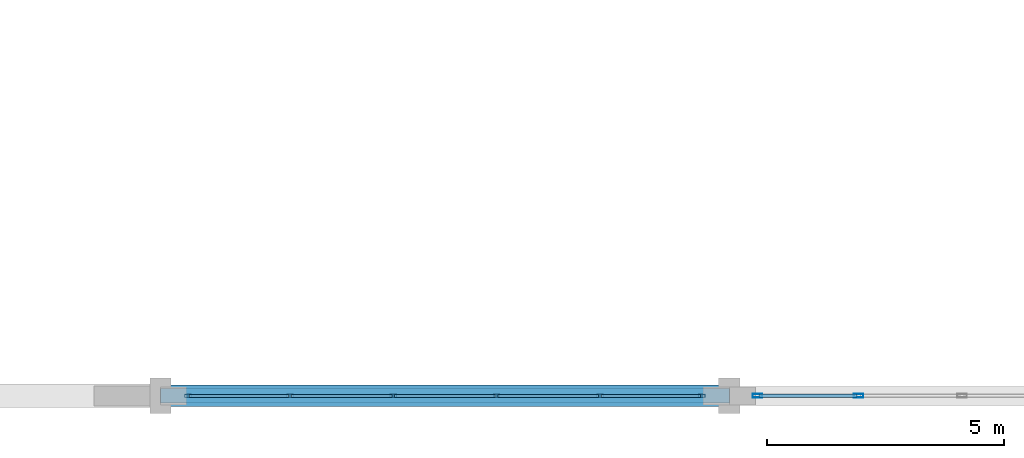
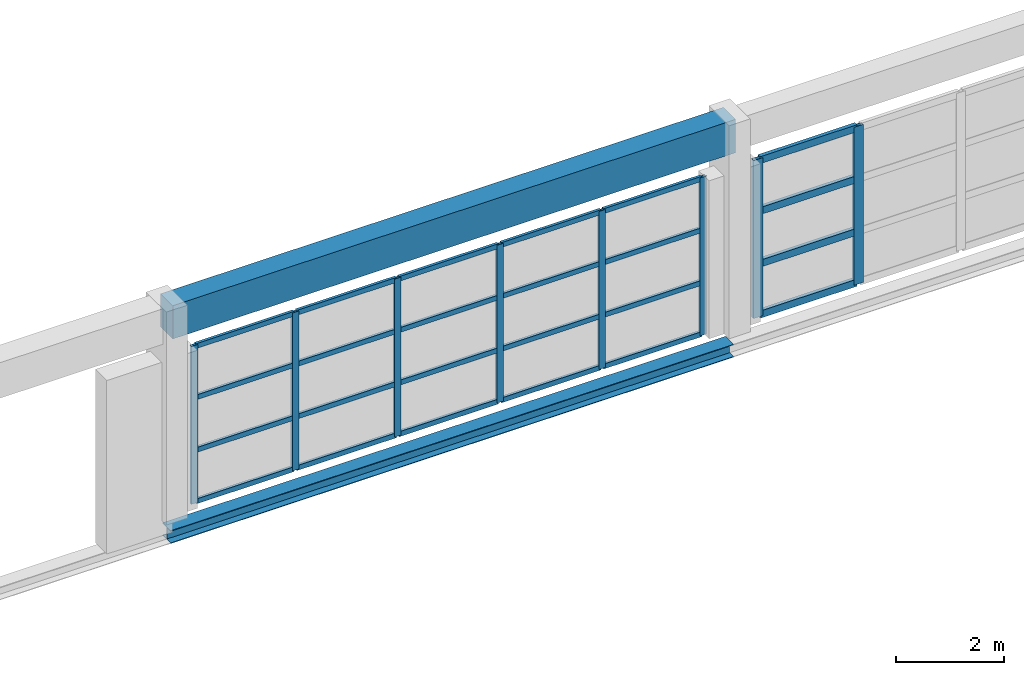
# One storey, part 48 of 147: 32 members, 2 beams, 2 elements without a shape of their own.
"""IFC4 building model written with IfcOpenShell, lengths in metres."""

from ifc_helpers import new_model, si_unit, direction, frame, origin, origin_2d, place, context, subcontext, project, spatial, rectangle, hollow_rectangle, i_section, extrude, material, layer, layer_set, material_profile, profile_set, type_object, element, aggregate, save


model = new_model("IFC4")

# Units and contexts
model_context = context("Model", 3, precision=1e-05, world=origin(), true_north=direction((0.0, 1.0)))
body_context = subcontext(model_context, "Body", "Model", "MODEL_VIEW")
ifc_project = project(units=[si_unit("LENGTHUNIT", "METRE"), si_unit("AREAUNIT", "SQUARE_METRE"), si_unit("VOLUMEUNIT", "CUBIC_METRE"), si_unit("PLANEANGLEUNIT", "RADIAN"), si_unit("MASSUNIT", "GRAM", prefix="KILO")], contexts=[model_context])

# Site, building, storey
site_placement = place(None, origin())
site = spatial("IfcSite", under=ifc_project, at=site_placement, CompositionType="ELEMENT")
building_placement = place(site_placement, origin())
building = spatial("IfcBuilding", under=site, at=building_placement, Name="Zilviju Railside Exhibition Hall", CompositionType="ELEMENT")
storey_placement = place(building_placement, frame((0.0, 0.0, 8.39990234375)))
storey = spatial("IfcBuildingStorey", under=building, at=storey_placement, Name="L03", CompositionType="ELEMENT", Elevation=8.39990234375)

# Beams
ifc_material_1 = material(Name="Steel S355J2", Category="steel")
ifc_material_profile_1 = material_profile(ifc_material_1, i_section(OverallWidth=0.300048828125, OverallDepth=0.2900390625, WebThickness=0.008544921875, FlangeThickness=0.013916015625, at=origin_2d()), Name="HEA 300")
ifc_profile_set_1 = profile_set([ifc_material_profile_1], Name="Steel S355J2")
beam_type_1 = type_object("IfcBeamType", Name="BM-HEA300", PredefinedType="SPANDREL", material=ifc_profile_set_1)
beam_1_placement = place(storey_placement, frame((96.0, 0.0, -0.48486328125), z_axis=(1.0, 0.0, 0.0), x_axis=(0.0, 1.0, 0.0)))
element("IfcBeam", 1, at=beam_1_placement, inside=storey, type_object=beam_type_1, Name="Primary Girder L03 Y=0.0 (96.0..108.0)", PredefinedType="SPANDREL", context=body_context, shape_type="SweptSolid", body=[
    extrude(i_section(OverallWidth=0.300048828125, OverallDepth=0.2900390625, WebThickness=0.008544921875, FlangeThickness=0.013916015625, at=origin_2d()), origin(), (0.0, 0.0, 1.0), 12.0),
])
ifc_material_2 = material(Name="Concrete C35/45", Category="concrete")
ifc_material_profile_2 = material_profile(ifc_material_2, rectangle(XDim=0.449951171875, YDim=0.75, at=origin_2d()), Name="RC BEAM 450x750")
ifc_profile_set_2 = profile_set([ifc_material_profile_2], Name="Concrete C35/45")
beam_type_2 = type_object("IfcBeamType", Name="BM-RC-450x750", PredefinedType="BEAM", material=ifc_profile_set_2)
beam_2_placement = place(storey_placement, frame((96.0, 0.0, 4.400146484375), z_axis=(1.0, 0.0, 0.0), x_axis=(0.0, 1.0, 0.0)))
element("IfcBeam", 2, at=beam_2_placement, inside=storey, type_object=beam_type_2, Name="Eave & Portal Spandrel Lintel 004", PredefinedType="BEAM", context=body_context, shape_type="SweptSolid", body=[
    extrude(rectangle(XDim=0.449951171875, YDim=0.75, at=origin_2d()), origin(), (0.0, 0.0, 1.0), 12.0),
])

# Curtain wall, members
ifc_material_3 = material(Name="Thermally broken aluminium-steel triple-glazed curtain wall", Category="steel")
ifc_layer_1 = layer(ifc_material_3, 0.179931640625)
ifc_layer_set_1 = layer_set([ifc_layer_1], Name="Thermally broken aluminium-steel triple-glazed curtain wall")
curtain_wall_type_1 = type_object("IfcCurtainWallType", Name="CW-BAY-13", PredefinedType="USERDEFINED", material=ifc_layer_set_1)
curtain_wall_1_placement = place(storey_placement, origin())
curtain_wall_1 = element("IfcCurtainWall", 3, at=curtain_wall_1_placement, inside=storey, type_object=curtain_wall_type_1, Name="South Hall Facade Curtain Wall L03 (96..108)", ObjectType="GLAZED CURTAIN WALL", PredefinedType="USERDEFINED")
ifc_material_4 = material(Name="Thermally broken anodized aluminium mullion", Category="aluminium")
ifc_material_profile_3 = material_profile(ifc_material_4, hollow_rectangle(XDim=0.06005859375, YDim=0.139892578125, WallThickness=0.0048828125, at=origin_2d()), Name="MULLION 140x60x5")
ifc_profile_set_3 = profile_set([ifc_material_profile_3], Name="Thermally broken anodized aluminium mullion")
member_type_1 = type_object("IfcMemberType", Name="CWM-60x140", PredefinedType="MULLION", material=ifc_profile_set_3)
member_1_placement = place(storey_placement, frame((107.419921875, 0.0, 0.0), z_axis=(0.0, 0.0, 1.0), x_axis=(0.0, -1.0, 0.0)))
member_1 = element("IfcMember", 4, at=member_1_placement, type_object=member_type_1, Name="CW-13 mullion 1", PredefinedType="MULLION", context=body_context, shape_type="SweptSolid", body=[
    extrude(hollow_rectangle(XDim=0.06005859375, YDim=0.139892578125, WallThickness=0.0048828125, at=origin_2d()), origin(), (0.0, 0.0, 1.0), 3.56005859375),
])
member_2_placement = place(storey_placement, frame((105.27001953125, 0.0, 0.0), z_axis=(0.0, 0.0, 1.0), x_axis=(0.0, -1.0, 0.0)))
member_2 = element("IfcMember", 5, at=member_2_placement, type_object=member_type_1, Name="CW-13 mullion 2", PredefinedType="MULLION", context=body_context, shape_type="SweptSolid", body=[
    extrude(hollow_rectangle(XDim=0.06005859375, YDim=0.139892578125, WallThickness=0.0048828125, at=origin_2d()), origin(), (0.0, 0.0, 1.0), 3.56005859375),
])
member_3_placement = place(storey_placement, frame((103.090087890625, 0.0, 0.0), z_axis=(0.0, 0.0, 1.0), x_axis=(0.0, -1.0, 0.0)))
member_3 = element("IfcMember", 6, at=member_3_placement, type_object=member_type_1, Name="CW-13 mullion 3", PredefinedType="MULLION", context=body_context, shape_type="SweptSolid", body=[
    extrude(hollow_rectangle(XDim=0.06005859375, YDim=0.139892578125, WallThickness=0.0048828125, at=origin_2d()), origin(), (0.0, 0.0, 1.0), 3.56005859375),
])
member_4_placement = place(storey_placement, frame((100.909912109375, 0.0, 0.0), z_axis=(0.0, 0.0, 1.0), x_axis=(0.0, -1.0, 0.0)))
member_4 = element("IfcMember", 7, at=member_4_placement, type_object=member_type_1, Name="CW-13 mullion 4", PredefinedType="MULLION", context=body_context, shape_type="SweptSolid", body=[
    extrude(hollow_rectangle(XDim=0.06005859375, YDim=0.139892578125, WallThickness=0.0048828125, at=origin_2d()), origin(), (0.0, 0.0, 1.0), 3.56005859375),
])
member_5_placement = place(storey_placement, frame((98.72998046875, 0.0, 0.0), z_axis=(0.0, 0.0, 1.0), x_axis=(0.0, -1.0, 0.0)))
member_5 = element("IfcMember", 8, at=member_5_placement, type_object=member_type_1, Name="CW-13 mullion 5", PredefinedType="MULLION", context=body_context, shape_type="SweptSolid", body=[
    extrude(hollow_rectangle(XDim=0.06005859375, YDim=0.139892578125, WallThickness=0.0048828125, at=origin_2d()), origin(), (0.0, 0.0, 1.0), 3.56005859375),
])
member_6_placement = place(storey_placement, frame((96.580078125, 0.0, 0.0), z_axis=(0.0, 0.0, 1.0), x_axis=(0.0, -1.0, 0.0)))
member_6 = element("IfcMember", 9, at=member_6_placement, type_object=member_type_1, Name="CW-13 mullion 6", PredefinedType="MULLION", context=body_context, shape_type="SweptSolid", body=[
    extrude(hollow_rectangle(XDim=0.06005859375, YDim=0.139892578125, WallThickness=0.0048828125, at=origin_2d()), origin(), (0.0, 0.0, 1.0), 3.56005859375),
])

ifc_layer_2 = layer(ifc_material_3, 0.179931640625)
ifc_layer_set_2 = layer_set([ifc_layer_2], Name="Thermally broken aluminium-steel triple-glazed curtain wall")
curtain_wall_type_2 = type_object("IfcCurtainWallType", Name="CW-BAY-14", PredefinedType="USERDEFINED", material=ifc_layer_set_2)
curtain_wall_2_placement = place(storey_placement, origin())
curtain_wall_2 = element("IfcCurtainWall", 10, at=curtain_wall_2_placement, inside=storey, type_object=curtain_wall_type_2, Name="South Hall Facade Curtain Wall L03 (108..120)", ObjectType="GLAZED CURTAIN WALL", PredefinedType="USERDEFINED")
ifc_material_profile_4 = material_profile(ifc_material_4, hollow_rectangle(XDim=0.080078125, YDim=0.199951171875, WallThickness=0.0048828125, at=origin_2d()), Name="MULLION 200x80x5")
ifc_profile_set_4 = profile_set([ifc_material_profile_4], Name="Thermally broken anodized aluminium mullion")
member_type_2 = type_object("IfcMemberType", Name="CWM-80x200", PredefinedType="MULLION", material=ifc_profile_set_4)
member_7_placement = place(storey_placement, frame((110.72998046875, 0.0, 0.0), z_axis=(0.0, 0.0, 1.0), x_axis=(0.0, -1.0, 0.0)))
member_7 = element("IfcMember", 11, at=member_7_placement, type_object=member_type_2, Name="CW-14 mullion 5", PredefinedType="MULLION", context=body_context, shape_type="SweptSolid", body=[
    extrude(hollow_rectangle(XDim=0.080078125, YDim=0.199951171875, WallThickness=0.0048828125, at=origin_2d()), origin(), (0.0, 0.0, 1.0), 3.56005859375),
])
member_8_placement = place(storey_placement, frame((108.590087890625, 0.0, 0.0), z_axis=(0.0, 0.0, 1.0), x_axis=(0.0, -1.0, 0.0)))
member_8 = element("IfcMember", 12, at=member_8_placement, type_object=member_type_2, Name="CW-14 mullion 6", PredefinedType="MULLION", context=body_context, shape_type="SweptSolid", body=[
    extrude(hollow_rectangle(XDim=0.080078125, YDim=0.199951171875, WallThickness=0.0048828125, at=origin_2d()), origin(), (0.0, 0.0, 1.0), 3.56005859375),
])

# Member
ifc_material_5 = material(Name="Thermally broken anodized aluminium transom", Category="aluminium")
ifc_material_profile_5 = material_profile(ifc_material_5, hollow_rectangle(XDim=0.06005859375, YDim=0.110107421875, WallThickness=0.0048828125, at=origin_2d()), Name="TRANSOM 110x60x5")
ifc_profile_set_5 = profile_set([ifc_material_profile_5], Name="Thermally broken anodized aluminium transom")
member_type_3 = type_object("IfcMemberType", Name="CWT-60x110", PredefinedType="USERDEFINED", material=ifc_profile_set_5)
member_9_placement = place(storey_placement, frame((107.389892578125, 0.0, 0.030029296875), z_axis=(-1.0, 0.0, 0.0), x_axis=(0.0, -1.0, 0.0)))
member_9 = element("IfcMember", 13, at=member_9_placement, type_object=member_type_3, Name="CW-13 transom 1.1", ObjectType="TRANSOM", PredefinedType="USERDEFINED", context=body_context, shape_type="SweptSolid", body=[
    extrude(hollow_rectangle(XDim=0.06005859375, YDim=0.110107421875, WallThickness=0.0048828125, at=origin_2d()), origin(), (0.0, 0.0, 1.0), 2.08984375),
])

member_10_placement = place(storey_placement, frame((107.389892578125, 0.0, 1.18701171875), z_axis=(-1.0, 0.0, 0.0), x_axis=(0.0, -1.0, 0.0)))
member_10 = element("IfcMember", 14, at=member_10_placement, type_object=member_type_3, Name="CW-13 transom 1.2", ObjectType="TRANSOM", PredefinedType="USERDEFINED", context=body_context, shape_type="SweptSolid", body=[
    extrude(hollow_rectangle(XDim=0.06005859375, YDim=0.110107421875, WallThickness=0.0048828125, at=origin_2d()), origin(), (0.0, 0.0, 1.0), 2.08984375),
])

member_11_placement = place(storey_placement, frame((107.389892578125, 0.0, 2.373046875), z_axis=(-1.0, 0.0, 0.0), x_axis=(0.0, -1.0, 0.0)))
member_11 = element("IfcMember", 15, at=member_11_placement, type_object=member_type_3, Name="CW-13 transom 1.3", ObjectType="TRANSOM", PredefinedType="USERDEFINED", context=body_context, shape_type="SweptSolid", body=[
    extrude(hollow_rectangle(XDim=0.06005859375, YDim=0.110107421875, WallThickness=0.0048828125, at=origin_2d()), origin(), (0.0, 0.0, 1.0), 2.08984375),
])

member_12_placement = place(storey_placement, frame((107.389892578125, 0.0, 3.530029296875), z_axis=(-1.0, 0.0, 0.0), x_axis=(0.0, -1.0, 0.0)))
member_12 = element("IfcMember", 16, at=member_12_placement, type_object=member_type_3, Name="CW-13 transom 1.4", ObjectType="TRANSOM", PredefinedType="USERDEFINED", context=body_context, shape_type="SweptSolid", body=[
    extrude(hollow_rectangle(XDim=0.06005859375, YDim=0.110107421875, WallThickness=0.0048828125, at=origin_2d()), origin(), (0.0, 0.0, 1.0), 2.08984375),
])

member_13_placement = place(storey_placement, frame((105.239990234375, 0.0, 0.030029296875), z_axis=(-1.0, 0.0, 0.0), x_axis=(0.0, -1.0, 0.0)))
member_13 = element("IfcMember", 17, at=member_13_placement, type_object=member_type_3, Name="CW-13 transom 2.1", ObjectType="TRANSOM", PredefinedType="USERDEFINED", context=body_context, shape_type="SweptSolid", body=[
    extrude(hollow_rectangle(XDim=0.06005859375, YDim=0.110107421875, WallThickness=0.0048828125, at=origin_2d()), origin(), (0.0, 0.0, 1.0), 2.119873046875),
])

member_14_placement = place(storey_placement, frame((105.239990234375, 0.0, 1.18701171875), z_axis=(-1.0, 0.0, 0.0), x_axis=(0.0, -1.0, 0.0)))
member_14 = element("IfcMember", 18, at=member_14_placement, type_object=member_type_3, Name="CW-13 transom 2.2", ObjectType="TRANSOM", PredefinedType="USERDEFINED", context=body_context, shape_type="SweptSolid", body=[
    extrude(hollow_rectangle(XDim=0.06005859375, YDim=0.110107421875, WallThickness=0.0048828125, at=origin_2d()), origin(), (0.0, 0.0, 1.0), 2.119873046875),
])

member_15_placement = place(storey_placement, frame((105.239990234375, 0.0, 2.373046875), z_axis=(-1.0, 0.0, 0.0), x_axis=(0.0, -1.0, 0.0)))
member_15 = element("IfcMember", 19, at=member_15_placement, type_object=member_type_3, Name="CW-13 transom 2.3", ObjectType="TRANSOM", PredefinedType="USERDEFINED", context=body_context, shape_type="SweptSolid", body=[
    extrude(hollow_rectangle(XDim=0.06005859375, YDim=0.110107421875, WallThickness=0.0048828125, at=origin_2d()), origin(), (0.0, 0.0, 1.0), 2.119873046875),
])

member_16_placement = place(storey_placement, frame((105.239990234375, 0.0, 3.530029296875), z_axis=(-1.0, 0.0, 0.0), x_axis=(0.0, -1.0, 0.0)))
member_16 = element("IfcMember", 20, at=member_16_placement, type_object=member_type_3, Name="CW-13 transom 2.4", ObjectType="TRANSOM", PredefinedType="USERDEFINED", context=body_context, shape_type="SweptSolid", body=[
    extrude(hollow_rectangle(XDim=0.06005859375, YDim=0.110107421875, WallThickness=0.0048828125, at=origin_2d()), origin(), (0.0, 0.0, 1.0), 2.119873046875),
])

member_17_placement = place(storey_placement, frame((103.06005859375, 0.0, 0.030029296875), z_axis=(-1.0, 0.0, 0.0), x_axis=(0.0, -1.0, 0.0)))
member_17 = element("IfcMember", 21, at=member_17_placement, type_object=member_type_3, Name="CW-13 transom 3.1", ObjectType="TRANSOM", PredefinedType="USERDEFINED", context=body_context, shape_type="SweptSolid", body=[
    extrude(hollow_rectangle(XDim=0.06005859375, YDim=0.110107421875, WallThickness=0.0048828125, at=origin_2d()), origin(), (0.0, 0.0, 1.0), 2.1201171875),
])

member_18_placement = place(storey_placement, frame((103.06005859375, 0.0, 1.18701171875), z_axis=(-1.0, 0.0, 0.0), x_axis=(0.0, -1.0, 0.0)))
member_18 = element("IfcMember", 22, at=member_18_placement, type_object=member_type_3, Name="CW-13 transom 3.2", ObjectType="TRANSOM", PredefinedType="USERDEFINED", context=body_context, shape_type="SweptSolid", body=[
    extrude(hollow_rectangle(XDim=0.06005859375, YDim=0.110107421875, WallThickness=0.0048828125, at=origin_2d()), origin(), (0.0, 0.0, 1.0), 2.1201171875),
])

member_19_placement = place(storey_placement, frame((103.06005859375, 0.0, 2.373046875), z_axis=(-1.0, 0.0, 0.0), x_axis=(0.0, -1.0, 0.0)))
member_19 = element("IfcMember", 23, at=member_19_placement, type_object=member_type_3, Name="CW-13 transom 3.3", ObjectType="TRANSOM", PredefinedType="USERDEFINED", context=body_context, shape_type="SweptSolid", body=[
    extrude(hollow_rectangle(XDim=0.06005859375, YDim=0.110107421875, WallThickness=0.0048828125, at=origin_2d()), origin(), (0.0, 0.0, 1.0), 2.1201171875),
])

member_20_placement = place(storey_placement, frame((103.06005859375, 0.0, 3.530029296875), z_axis=(-1.0, 0.0, 0.0), x_axis=(0.0, -1.0, 0.0)))
member_20 = element("IfcMember", 24, at=member_20_placement, type_object=member_type_3, Name="CW-13 transom 3.4", ObjectType="TRANSOM", PredefinedType="USERDEFINED", context=body_context, shape_type="SweptSolid", body=[
    extrude(hollow_rectangle(XDim=0.06005859375, YDim=0.110107421875, WallThickness=0.0048828125, at=origin_2d()), origin(), (0.0, 0.0, 1.0), 2.1201171875),
])

member_21_placement = place(storey_placement, frame((100.8798828125, 0.0, 0.030029296875), z_axis=(-1.0, 0.0, 0.0), x_axis=(0.0, -1.0, 0.0)))
member_21 = element("IfcMember", 25, at=member_21_placement, type_object=member_type_3, Name="CW-13 transom 4.1", ObjectType="TRANSOM", PredefinedType="USERDEFINED", context=body_context, shape_type="SweptSolid", body=[
    extrude(hollow_rectangle(XDim=0.06005859375, YDim=0.110107421875, WallThickness=0.0048828125, at=origin_2d()), origin(), (0.0, 0.0, 1.0), 2.119873046875),
])

member_22_placement = place(storey_placement, frame((100.8798828125, 0.0, 1.18701171875), z_axis=(-1.0, 0.0, 0.0), x_axis=(0.0, -1.0, 0.0)))
member_22 = element("IfcMember", 26, at=member_22_placement, type_object=member_type_3, Name="CW-13 transom 4.2", ObjectType="TRANSOM", PredefinedType="USERDEFINED", context=body_context, shape_type="SweptSolid", body=[
    extrude(hollow_rectangle(XDim=0.06005859375, YDim=0.110107421875, WallThickness=0.0048828125, at=origin_2d()), origin(), (0.0, 0.0, 1.0), 2.119873046875),
])

member_23_placement = place(storey_placement, frame((100.8798828125, 0.0, 2.373046875), z_axis=(-1.0, 0.0, 0.0), x_axis=(0.0, -1.0, 0.0)))
member_23 = element("IfcMember", 27, at=member_23_placement, type_object=member_type_3, Name="CW-13 transom 4.3", ObjectType="TRANSOM", PredefinedType="USERDEFINED", context=body_context, shape_type="SweptSolid", body=[
    extrude(hollow_rectangle(XDim=0.06005859375, YDim=0.110107421875, WallThickness=0.0048828125, at=origin_2d()), origin(), (0.0, 0.0, 1.0), 2.119873046875),
])

member_24_placement = place(storey_placement, frame((100.8798828125, 0.0, 3.530029296875), z_axis=(-1.0, 0.0, 0.0), x_axis=(0.0, -1.0, 0.0)))
member_24 = element("IfcMember", 28, at=member_24_placement, type_object=member_type_3, Name="CW-13 transom 4.4", ObjectType="TRANSOM", PredefinedType="USERDEFINED", context=body_context, shape_type="SweptSolid", body=[
    extrude(hollow_rectangle(XDim=0.06005859375, YDim=0.110107421875, WallThickness=0.0048828125, at=origin_2d()), origin(), (0.0, 0.0, 1.0), 2.119873046875),
])

member_25_placement = place(storey_placement, frame((98.699951171875, 0.0, 0.030029296875), z_axis=(-1.0, 0.0, 0.0), x_axis=(0.0, -1.0, 0.0)))
member_25 = element("IfcMember", 29, at=member_25_placement, type_object=member_type_3, Name="CW-13 transom 5.1", ObjectType="TRANSOM", PredefinedType="USERDEFINED", context=body_context, shape_type="SweptSolid", body=[
    extrude(hollow_rectangle(XDim=0.06005859375, YDim=0.110107421875, WallThickness=0.0048828125, at=origin_2d()), origin(), (0.0, 0.0, 1.0), 2.08984375),
])

member_26_placement = place(storey_placement, frame((98.699951171875, 0.0, 1.18701171875), z_axis=(-1.0, 0.0, 0.0), x_axis=(0.0, -1.0, 0.0)))
member_26 = element("IfcMember", 30, at=member_26_placement, type_object=member_type_3, Name="CW-13 transom 5.2", ObjectType="TRANSOM", PredefinedType="USERDEFINED", context=body_context, shape_type="SweptSolid", body=[
    extrude(hollow_rectangle(XDim=0.06005859375, YDim=0.110107421875, WallThickness=0.0048828125, at=origin_2d()), origin(), (0.0, 0.0, 1.0), 2.08984375),
])

member_27_placement = place(storey_placement, frame((98.699951171875, 0.0, 2.373046875), z_axis=(-1.0, 0.0, 0.0), x_axis=(0.0, -1.0, 0.0)))
member_27 = element("IfcMember", 31, at=member_27_placement, type_object=member_type_3, Name="CW-13 transom 5.3", ObjectType="TRANSOM", PredefinedType="USERDEFINED", context=body_context, shape_type="SweptSolid", body=[
    extrude(hollow_rectangle(XDim=0.06005859375, YDim=0.110107421875, WallThickness=0.0048828125, at=origin_2d()), origin(), (0.0, 0.0, 1.0), 2.08984375),
])

member_28_placement = place(storey_placement, frame((98.699951171875, 0.0, 3.530029296875), z_axis=(-1.0, 0.0, 0.0), x_axis=(0.0, -1.0, 0.0)))
member_28 = element("IfcMember", 32, at=member_28_placement, type_object=member_type_3, Name="CW-13 transom 5.4", ObjectType="TRANSOM", PredefinedType="USERDEFINED", context=body_context, shape_type="SweptSolid", body=[
    extrude(hollow_rectangle(XDim=0.06005859375, YDim=0.110107421875, WallThickness=0.0048828125, at=origin_2d()), origin(), (0.0, 0.0, 1.0), 2.08984375),
])

aggregate(curtain_wall_1, [member_1, member_2, member_3, member_4, member_5, member_6, member_9, member_10, member_11, member_12, member_13, member_14, member_15, member_16, member_17, member_18, member_19, member_20, member_21, member_22, member_23, member_24, member_25, member_26, member_27, member_28])

ifc_material_profile_6 = material_profile(ifc_material_5, hollow_rectangle(XDim=0.080078125, YDim=0.159912109375, WallThickness=0.0048828125, at=origin_2d()), Name="TRANSOM 160x80x5")
ifc_profile_set_6 = profile_set([ifc_material_profile_6], Name="Thermally broken anodized aluminium transom")
member_type_4 = type_object("IfcMemberType", Name="CWT-80x160", PredefinedType="USERDEFINED", material=ifc_profile_set_6)
member_29_placement = place(storey_placement, frame((110.68994140625, 0.0, 0.0400390625), z_axis=(-1.0, 0.0, 0.0), x_axis=(0.0, -1.0, 0.0)))
member_29 = element("IfcMember", 33, at=member_29_placement, type_object=member_type_4, Name="CW-14 transom 5.1", ObjectType="TRANSOM", PredefinedType="USERDEFINED", context=body_context, shape_type="SweptSolid", body=[
    extrude(hollow_rectangle(XDim=0.080078125, YDim=0.159912109375, WallThickness=0.0048828125, at=origin_2d()), origin(), (0.0, 0.0, 1.0), 2.06005859375),
])

member_30_placement = place(storey_placement, frame((110.68994140625, 0.0, 1.18701171875), z_axis=(-1.0, 0.0, 0.0), x_axis=(0.0, -1.0, 0.0)))
member_30 = element("IfcMember", 34, at=member_30_placement, type_object=member_type_4, Name="CW-14 transom 5.2", ObjectType="TRANSOM", PredefinedType="USERDEFINED", context=body_context, shape_type="SweptSolid", body=[
    extrude(hollow_rectangle(XDim=0.080078125, YDim=0.159912109375, WallThickness=0.0048828125, at=origin_2d()), origin(), (0.0, 0.0, 1.0), 2.06005859375),
])

member_31_placement = place(storey_placement, frame((110.68994140625, 0.0, 2.373046875), z_axis=(-1.0, 0.0, 0.0), x_axis=(0.0, -1.0, 0.0)))
member_31 = element("IfcMember", 35, at=member_31_placement, type_object=member_type_4, Name="CW-14 transom 5.3", ObjectType="TRANSOM", PredefinedType="USERDEFINED", context=body_context, shape_type="SweptSolid", body=[
    extrude(hollow_rectangle(XDim=0.080078125, YDim=0.159912109375, WallThickness=0.0048828125, at=origin_2d()), origin(), (0.0, 0.0, 1.0), 2.06005859375),
])

member_32_placement = place(storey_placement, frame((110.68994140625, 0.0, 3.52001953125), z_axis=(-1.0, 0.0, 0.0), x_axis=(0.0, -1.0, 0.0)))
member_32 = element("IfcMember", 36, at=member_32_placement, type_object=member_type_4, Name="CW-14 transom 5.4", ObjectType="TRANSOM", PredefinedType="USERDEFINED", context=body_context, shape_type="SweptSolid", body=[
    extrude(hollow_rectangle(XDim=0.080078125, YDim=0.159912109375, WallThickness=0.0048828125, at=origin_2d()), origin(), (0.0, 0.0, 1.0), 2.06005859375),
])

aggregate(curtain_wall_2, [member_7, member_8, member_29, member_30, member_31, member_32])

save(model, "model.ifc")
